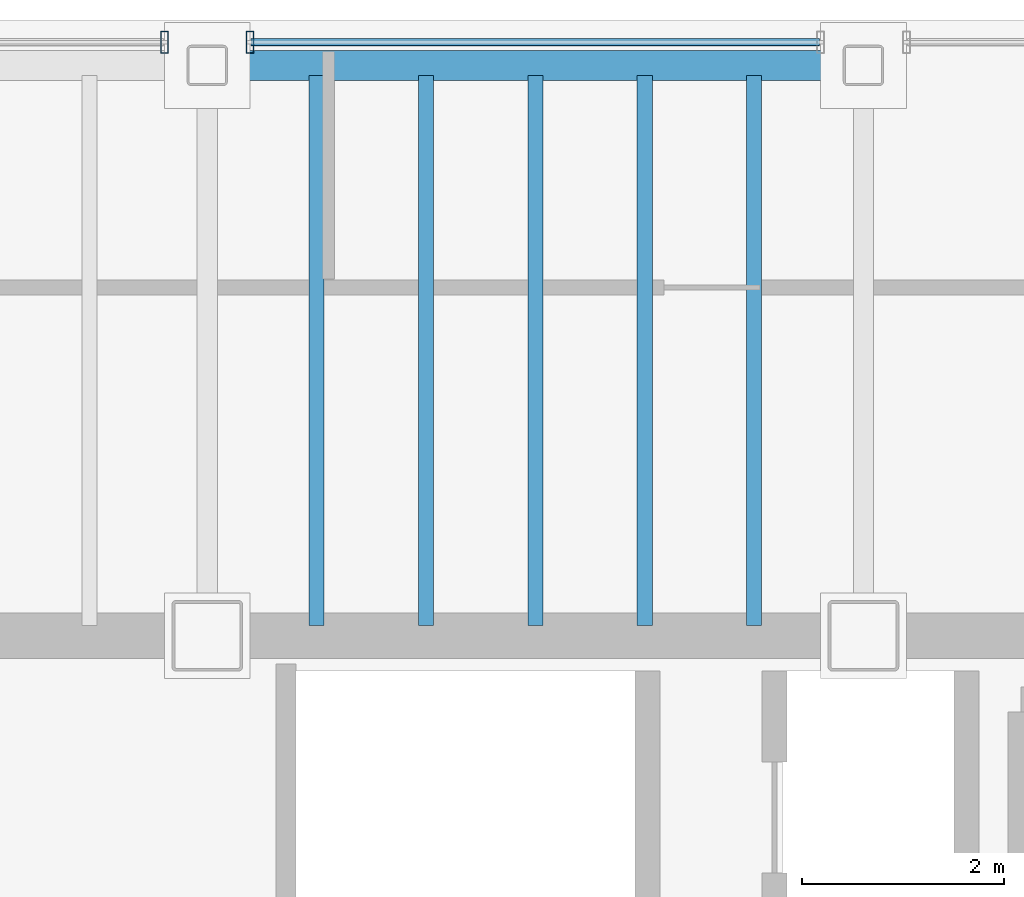
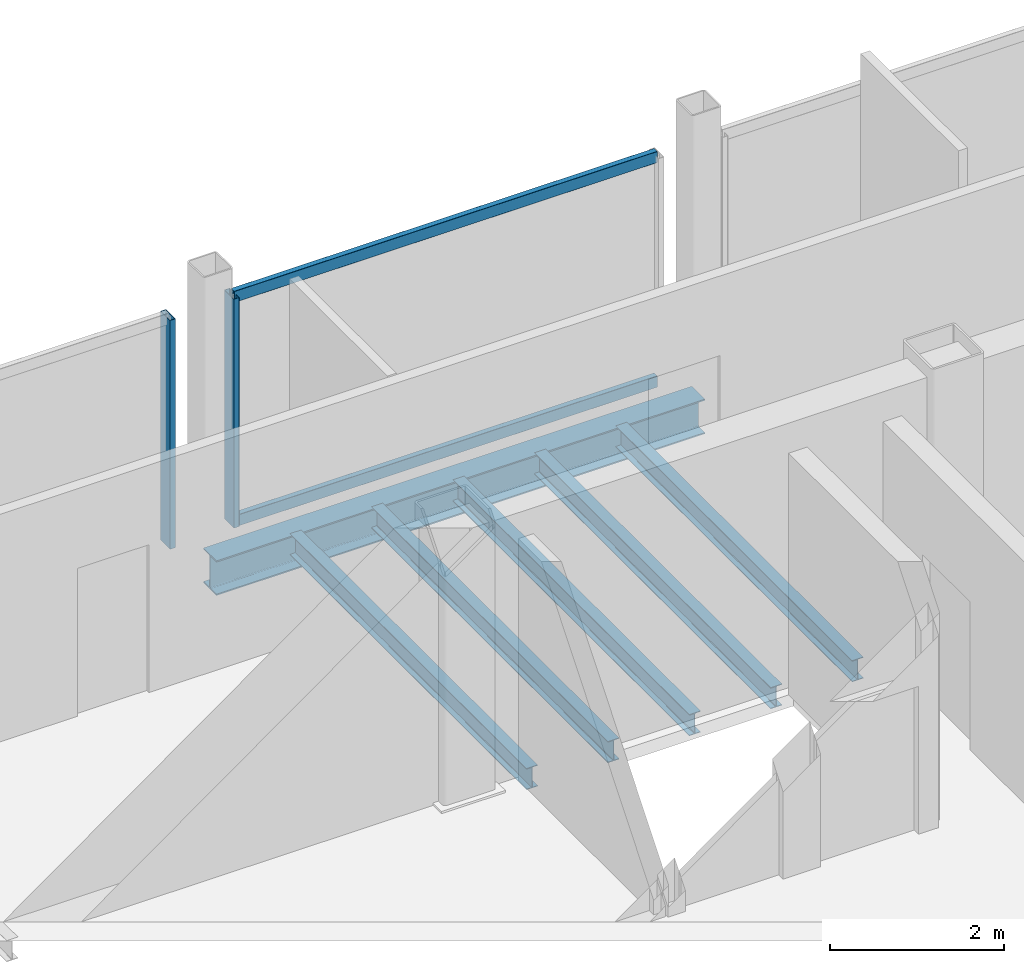
# One storey, part 10 of 17: 6 beams, 4 members, 2 elements without a shape of their own.
"""IFC4 building model written with IfcOpenShell, lengths in metres."""

from ifc_helpers import new_model, si_unit, direction, frame, origin, origin_2d, place, context, subcontext, project, spatial, hollow_rectangle, i_section, extrude, material, material_profile, profile_set, type_object, element, aggregate, save


model = new_model("IFC4")

# Units and contexts
model_context = context("Model", 3, precision=1e-05, world=origin(), true_north=direction((0.0, 1.0)))
body_context = subcontext(model_context, "Body", "Model", "MODEL_VIEW")
ifc_project = project(units=[si_unit("LENGTHUNIT", "METRE"), si_unit("AREAUNIT", "SQUARE_METRE"), si_unit("VOLUMEUNIT", "CUBIC_METRE"), si_unit("PLANEANGLEUNIT", "RADIAN"), si_unit("MASSUNIT", "GRAM", prefix="KILO")], contexts=[model_context])

# Site, building, storey
site_placement = place(None, origin())
site = spatial("IfcSite", under=ifc_project, at=site_placement, CompositionType="ELEMENT")
building_placement = place(site_placement, origin())
building = spatial("IfcBuilding", under=site, at=building_placement, Name="Noeulbin Bourse Tower", CompositionType="ELEMENT")
storey_placement = place(building_placement, frame((0.0, 0.0, 273.5)))
storey = spatial("IfcBuildingStorey", under=building, at=storey_placement, Name="L68", CompositionType="ELEMENT", Elevation=273.5)

# Beams
ifc_material_1 = material(Name="Steel S355", Category="steel")
ifc_material_profile_1 = material_profile(ifc_material_1, i_section(OverallWidth=0.14990234375, OverallDepth=0.300048828125, WebThickness=0.006591796875, FlangeThickness=0.009033203125, FilletRadius=0.012939453125, at=origin_2d()), Name="H-300x150x6.5x9", Category="LoadBearing")
ifc_profile_set_1 = profile_set([ifc_material_profile_1], Name="Steel S355")
beam_type_1 = type_object("IfcBeamType", Name="BM-JST-300", PredefinedType="JOIST", material=ifc_profile_set_1)
for number, where, z_axis, x_axis, name in (
    (1, (32.083251953125, 38.39990234375, -0.330078125), (0.0, 1.0, 0.0), (-1.0, 0.0, 0.0), "Tower Composite Joist L68-28"),
    (2, (33.166748046875, 38.39990234375, -0.330078125), (0.0, 1.0, 0.0), (-1.0, 0.0, 0.0), "Tower Composite Joist L68-30"),
    (3, (34.25, 38.39990234375, -0.330078125), (0.0, 1.0, 0.0), (-1.0, 0.0, 0.0), "Tower Composite Joist L68-32"),
    (4, (35.333251953125, 38.39990234375, -0.330078125), (0.0, 1.0, 0.0), (-1.0, 0.0, 0.0), "Tower Composite Joist L68-34"),
    (5, (36.416748046875, 38.39990234375, -0.330078125), (0.0, 1.0, 0.0), (-1.0, 0.0, 0.0), "Tower Composite Joist L68-36"),
):
    element("IfcBeam", number, at=place(storey_placement, frame(where, z_axis=z_axis, x_axis=x_axis)), inside=storey, type_object=beam_type_1, Name=name, PredefinedType="JOIST", context=body_context, shape_type="SweptSolid", body=[
        extrude(i_section(OverallWidth=0.14990234375, OverallDepth=0.300048828125, WebThickness=0.006591796875, FlangeThickness=0.009033203125, FilletRadius=0.012939453125, at=origin_2d()), origin(), (0.0, 0.0, 1.0), 5.4501953125),
    ])
ifc_material_profile_2 = material_profile(ifc_material_1, i_section(OverallWidth=0.300048828125, OverallDepth=0.488037109375, WebThickness=0.010986328125, FlangeThickness=0.01806640625, FilletRadius=0.02197265625, at=origin_2d()), Name="H-488x300x11x18", Category="LoadBearing")
ifc_profile_set_2 = profile_set([ifc_material_profile_2], Name="Steel S355")
beam_type_2 = type_object("IfcBeamType", Name="BM-SPN-488", PredefinedType="SPANDREL", material=ifc_profile_set_2)
beam_placement = place(storey_placement, frame((31.0, 43.949951171875, -0.424072265625), z_axis=(1.0, 0.0, 0.0), x_axis=(0.0, 1.0, 0.0)))
element("IfcBeam", 6, at=beam_placement, inside=storey, type_object=beam_type_2, Name="North Spandrel L68-3", PredefinedType="SPANDREL", context=body_context, shape_type="SweptSolid", body=[
    extrude(i_section(OverallWidth=0.300048828125, OverallDepth=0.488037109375, WebThickness=0.010986328125, FlangeThickness=0.01806640625, FilletRadius=0.02197265625, at=origin_2d()), origin(), (0.0, 0.0, 1.0), 6.5),
])

# Curtain wall, member
ifc_material_2 = material(Name="High-Selectivity Low-Iron Glazing", Category="glass")
curtain_wall_type = type_object("IfcCurtainWallType", Name="CW-SYS-4", PredefinedType="NOTDEFINED", material=ifc_material_2)
curtain_wall_1_placement = place(storey_placement, origin())
curtain_wall_1 = element("IfcCurtainWall", 7, at=curtain_wall_1_placement, inside=storey, type_object=curtain_wall_type, Name="Unitised Curtain Wall CW-L68-N-S3", PredefinedType="NOTDEFINED")
ifc_material_3 = material(Name="Anodised Aluminium 6063-T6", Category="aluminium")
ifc_material_profile_3 = material_profile(ifc_material_3, hollow_rectangle(XDim=0.074951171875, YDim=0.219970703125, WallThickness=0.0048828125, InnerFilletRadius=0.00244140625, OuterFilletRadius=0.0048828125, at=origin_2d()), Name="ALU-MULL-75x220x5", Category="LoadBearing")
ifc_profile_set_3 = profile_set([ifc_material_profile_3], Name="Anodised Aluminium 6063-T6")
member_type_1 = type_object("IfcMemberType", Name="CW-SYS-4-MUL", PredefinedType="MULLION", material=ifc_profile_set_3)
member_1_placement = place(storey_placement, frame((30.574951171875, 44.179931640625, -0.02001953125), z_axis=(0.0, 0.0, 1.0), x_axis=(1.0, 0.0, 0.0)))
member_1 = element("IfcMember", 8, at=member_1_placement, type_object=member_type_1, Name="Curtain Wall Mullion CW-L68-N-S3-M01", PredefinedType="MULLION", context=body_context, shape_type="SweptSolid", body=[
    extrude(hollow_rectangle(XDim=0.074951171875, YDim=0.219970703125, WallThickness=0.0048828125, InnerFilletRadius=0.00244140625, OuterFilletRadius=0.0048828125, at=origin_2d()), origin(), (0.0, 0.0, 1.0), 3.219970703125),
])
aggregate(curtain_wall_1, [member_1])

# Curtain wall, members
curtain_wall_2_placement = place(storey_placement, origin())
curtain_wall_2 = element("IfcCurtainWall", 9, at=curtain_wall_2_placement, inside=storey, type_object=curtain_wall_type, Name="Unitised Curtain Wall CW-L68-N-S4", PredefinedType="NOTDEFINED")
member_2_placement = place(storey_placement, frame((31.425048828125, 44.179931640625, -0.02001953125), z_axis=(0.0, 0.0, 1.0), x_axis=(1.0, 0.0, 0.0)))
member_2 = element("IfcMember", 10, at=member_2_placement, type_object=member_type_1, Name="Curtain Wall Mullion CW-L68-N-S4-M00", PredefinedType="MULLION", context=body_context, shape_type="SweptSolid", body=[
    extrude(hollow_rectangle(XDim=0.074951171875, YDim=0.219970703125, WallThickness=0.0048828125, InnerFilletRadius=0.00244140625, OuterFilletRadius=0.0048828125, at=origin_2d()), origin(), (0.0, 0.0, 1.0), 3.219970703125),
])
ifc_material_profile_4 = material_profile(ifc_material_3, hollow_rectangle(XDim=0.074951171875, YDim=0.159912109375, WallThickness=0.0048828125, InnerFilletRadius=0.00244140625, OuterFilletRadius=0.0048828125, at=origin_2d()), Name="ALU-TRAN-75x160x5", Category="LoadBearing")
ifc_profile_set_4 = profile_set([ifc_material_profile_4], Name="Anodised Aluminium 6063-T6")
member_type_2 = type_object("IfcMemberType", Name="CW-SYS-4-TRN", PredefinedType="USERDEFINED", material=ifc_profile_set_4)
member_3_placement = place(storey_placement, frame((31.43505859375, 44.179931640625, 0.010009765625), z_axis=(1.0, 0.0, 0.0), x_axis=(0.0, 1.0, 0.0)))
member_3 = element("IfcMember", 11, at=member_3_placement, type_object=member_type_2, Name="Curtain Wall Transom CW-L68-N-S4-T00", ObjectType="TRANSOM", PredefinedType="USERDEFINED", context=body_context, shape_type="SweptSolid", body=[
    extrude(hollow_rectangle(XDim=0.074951171875, YDim=0.159912109375, WallThickness=0.0048828125, InnerFilletRadius=0.00244140625, OuterFilletRadius=0.0048828125, at=origin_2d()), origin(), (0.0, 0.0, 1.0), 5.6298828125),
])
member_4_placement = place(storey_placement, frame((31.43505859375, 44.179931640625, 3.169921875), z_axis=(1.0, 0.0, 0.0), x_axis=(0.0, 1.0, 0.0)))
member_4 = element("IfcMember", 12, at=member_4_placement, type_object=member_type_2, Name="Curtain Wall Transom CW-L68-N-S4-T01", ObjectType="TRANSOM", PredefinedType="USERDEFINED", context=body_context, shape_type="SweptSolid", body=[
    extrude(hollow_rectangle(XDim=0.074951171875, YDim=0.159912109375, WallThickness=0.0048828125, InnerFilletRadius=0.00244140625, OuterFilletRadius=0.0048828125, at=origin_2d()), origin(), (0.0, 0.0, 1.0), 5.6298828125),
])
aggregate(curtain_wall_2, [member_2, member_3, member_4])

save(model, "model.ifc")
